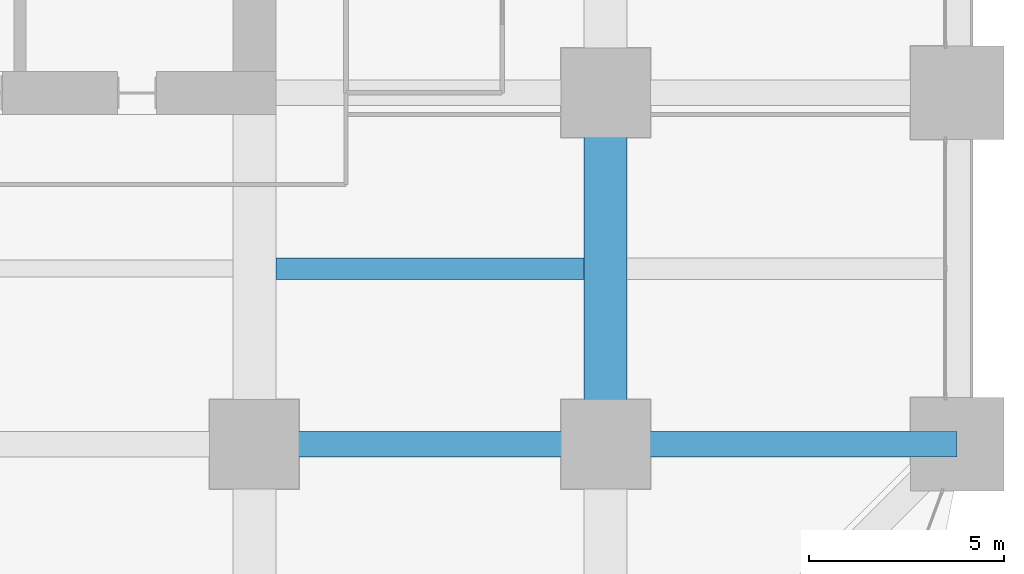
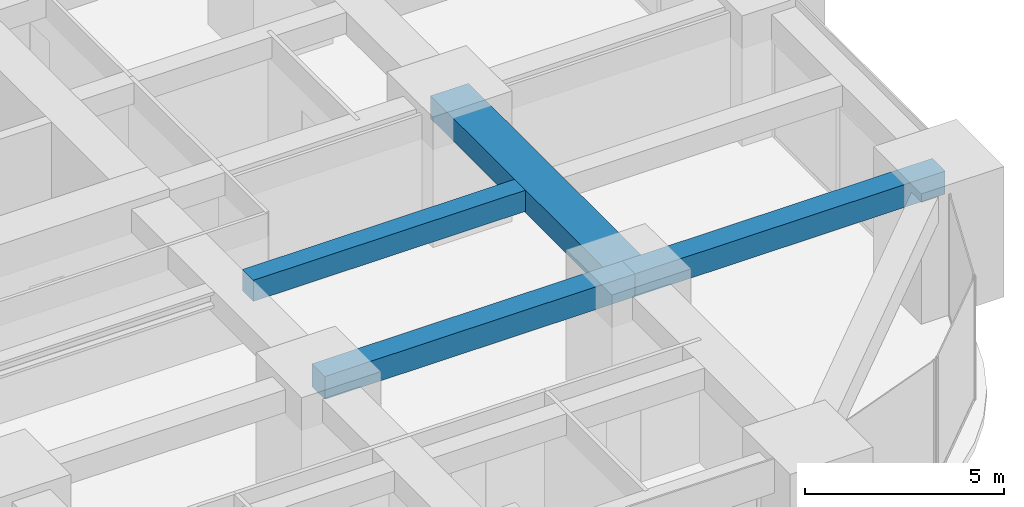
# One storey, part 17 of 45: 4 beams.
"""IFC4 building model written with IfcOpenShell, lengths in metres."""

from ifc_helpers import new_model, si_unit, direction, frame, origin, origin_2d, place, context, subcontext, project, spatial, rectangle, extrude, material, material_profile, profile_set, type_object, element, save


model = new_model("IFC4")

# Units and contexts
model_context = context("Model", 3, precision=1e-05, world=origin(), true_north=direction((0.0, 1.0)))
body_context = subcontext(model_context, "Body", "Model", "MODEL_VIEW")
ifc_project = project(units=[si_unit("LENGTHUNIT", "METRE"), si_unit("AREAUNIT", "SQUARE_METRE"), si_unit("VOLUMEUNIT", "CUBIC_METRE"), si_unit("PLANEANGLEUNIT", "RADIAN"), si_unit("MASSUNIT", "GRAM", prefix="KILO")], contexts=[model_context])

# Site, building, storey
site_placement = place(None, origin())
site = spatial("IfcSite", under=ifc_project, at=site_placement, CompositionType="ELEMENT")
building_placement = place(site_placement, origin())
building = spatial("IfcBuilding", under=site, at=building_placement, Name="Zorevar Civic Tower", CompositionType="ELEMENT")
storey_placement = place(building_placement, frame((0.0, 0.0, 39.800048828125)))
storey = spatial("IfcBuildingStorey", under=building, at=storey_placement, Name="L09", CompositionType="ELEMENT", Elevation=39.800048828125)

# Beams
ifc_material_1 = material(Name="Concrete C50/60", Category="concrete")
ifc_material_profile_1 = material_profile(ifc_material_1, rectangle(XDim=1.10009765625, YDim=0.699951171875, at=origin_2d()), Name="RC 1100x700")
ifc_profile_set_1 = profile_set([ifc_material_profile_1], Name="Concrete C50/60")
beam_type_1 = type_object("IfcBeamType", Name="Beam RC 1100x700", PredefinedType="BEAM", material=ifc_profile_set_1)
beam_1_placement = place(storey_placement, frame((54.0, 9.0, 3.39990234375), z_axis=(0.0, 1.0, 0.0), x_axis=(-1.0, 0.0, 0.0)))
element("IfcBeam", 1, at=beam_1_placement, inside=storey, type_object=beam_type_1, Name="Girder L10", PredefinedType="BEAM", context=body_context, shape_type="SweptSolid", body=[
    extrude(rectangle(XDim=1.10009765625, YDim=0.699951171875, at=origin_2d()), origin(), (0.0, 0.0, 1.0), 9.0),
])
ifc_material_2 = material(Name="Concrete C50/60", Category="concrete")
ifc_material_profile_2 = material_profile(ifc_material_2, rectangle(XDim=0.550048828125, YDim=0.64990234375, at=origin_2d()), Name="RC 550x650")
ifc_profile_set_2 = profile_set([ifc_material_profile_2], Name="Concrete C50/60")
beam_type_2 = type_object("IfcBeamType", Name="Beam RC 550x650", PredefinedType="BEAM", material=ifc_profile_set_2)
beam_2_placement = place(storey_placement, frame((45.550048828125, 13.5, 3.425048828125), z_axis=(1.0, 0.0, 0.0), x_axis=(0.0, 1.0, 0.0)))
element("IfcBeam", 2, at=beam_2_placement, inside=storey, type_object=beam_type_2, Name="Secondary beam L10", PredefinedType="BEAM", context=body_context, shape_type="SweptSolid", body=[
    extrude(rectangle(XDim=0.550048828125, YDim=0.64990234375, at=origin_2d()), origin(), (0.0, 0.0, 1.0), 7.89990234375),
])
ifc_material_3 = material(Name="Concrete C50/60", Category="concrete")
ifc_material_profile_3 = material_profile(ifc_material_3, rectangle(XDim=0.64990234375, YDim=0.699951171875, at=origin_2d()), Name="RC 650x700")
ifc_profile_set_3 = profile_set([ifc_material_profile_3], Name="Concrete C50/60")
beam_type_3 = type_object("IfcBeamType", Name="Beam RC 650x700", PredefinedType="BEAM", material=ifc_profile_set_3)
for number, where, z_axis, x_axis, name in (
    (3, (45.0, 9.0, 3.39990234375), (1.0, 0.0, 0.0), (0.0, 1.0, 0.0), "Girder L10"),
    (4, (54.0, 9.0, 3.39990234375), (1.0, 0.0, 0.0), (0.0, 1.0, 0.0), "Girder L10"),
):
    element("IfcBeam", number, at=place(storey_placement, frame(where, z_axis=z_axis, x_axis=x_axis)), inside=storey, type_object=beam_type_3, Name=name, PredefinedType="BEAM", context=body_context, shape_type="SweptSolid", body=[
        extrude(rectangle(XDim=0.64990234375, YDim=0.699951171875, at=origin_2d()), origin(), (0.0, 0.0, 1.0), 9.0),
    ])

save(model, "model.ifc")
